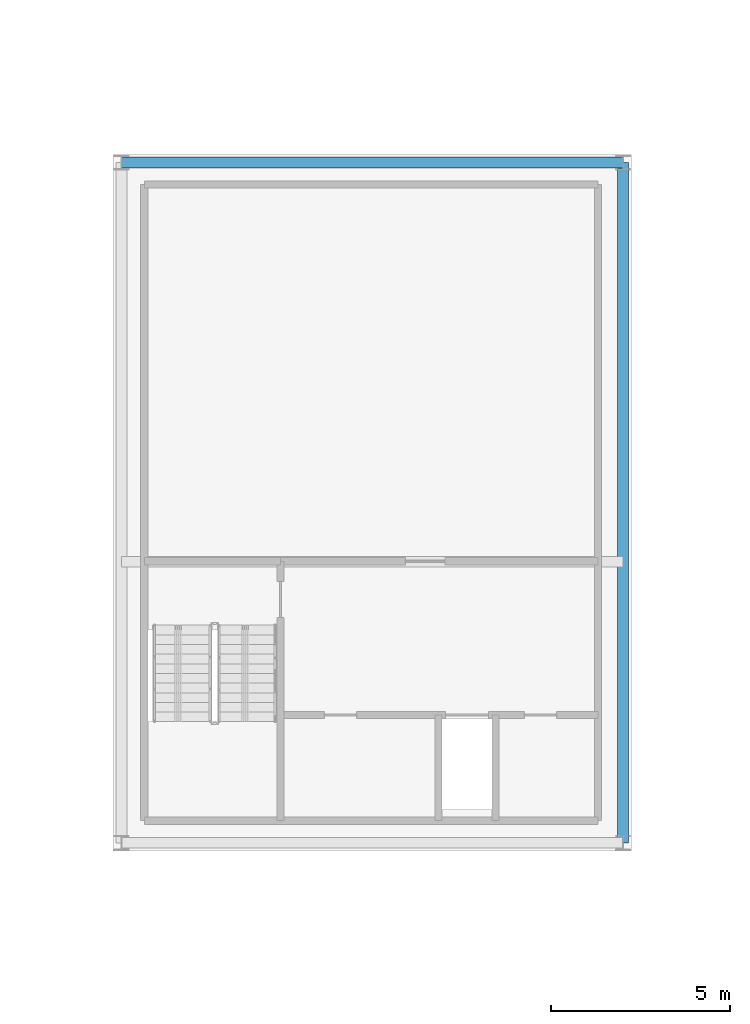
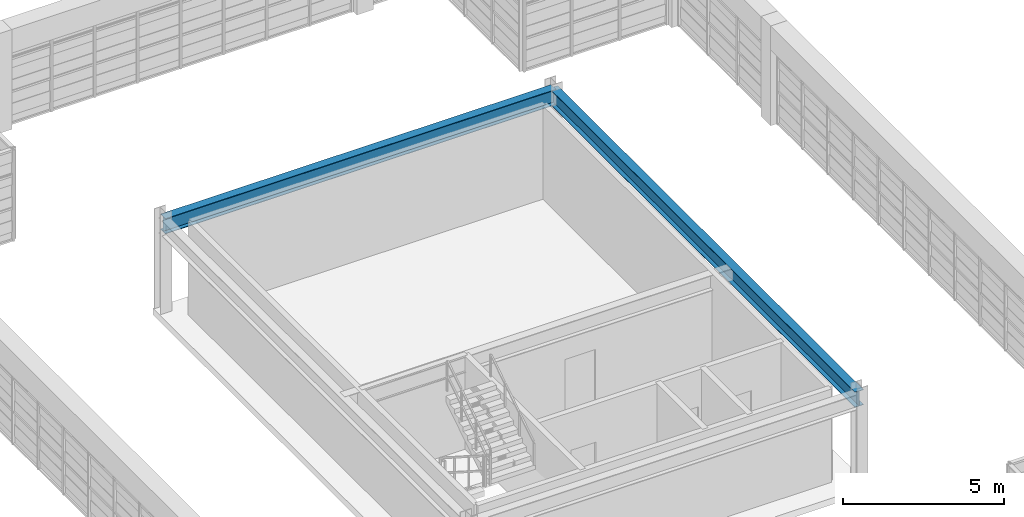
# One storey, part 13 of 27: 2 beams.
"""IFC4 building model written with IfcOpenShell, lengths in metres."""

from ifc_helpers import new_model, si_unit, direction, frame, origin, origin_2d, place, context, subcontext, project, spatial, i_section, extrude, source, transform, mapped, material, material_profile, profile_set, type_object, element, save


model = new_model("IFC4")

# Units and contexts
model_context = context("Model", 3, precision=1e-05, world=origin(), true_north=direction((0.0, 1.0)))
body_context = subcontext(model_context, "Body", "Model", "MODEL_VIEW")
ifc_project = project(units=[si_unit("LENGTHUNIT", "METRE"), si_unit("AREAUNIT", "SQUARE_METRE"), si_unit("VOLUMEUNIT", "CUBIC_METRE"), si_unit("PLANEANGLEUNIT", "RADIAN"), si_unit("MASSUNIT", "GRAM", prefix="KILO")], contexts=[model_context])

# Site, building, storey
site_placement = place(None, origin())
site = spatial("IfcSite", under=ifc_project, at=site_placement, CompositionType="ELEMENT")
building_placement = place(site_placement, origin())
building = spatial("IfcBuilding", under=site, at=building_placement, Name="Saelheon Loggia Tower", CompositionType="ELEMENT")
storey_placement = place(building_placement, frame((0.0, 0.0, 263.60009765625)))
storey = spatial("IfcBuildingStorey", under=building, at=storey_placement, Name="CR4", CompositionType="ELEMENT", Elevation=263.60009765625)

# Beams
ifc_material = material(Name="Steel SM355", Category="steel")
ifc_material_profile = material_profile(ifc_material, i_section(OverallWidth=0.300048828125, OverallDepth=0.587890625, WebThickness=0.011962890625, FlangeThickness=0.02001953125, at=origin_2d()), Name="H-588x300x12x20")
ifc_profile_set = profile_set([ifc_material_profile], Name="Steel SM355")
beam_type = type_object("IfcBeamType", Name="Beam_Girder_Steel_H588", PredefinedType="BEAM", material=ifc_profile_set)
shared_shape_1 = source(origin(), body_context, "Body", "SweptSolid", [
    extrude(i_section(OverallWidth=0.300048828125, OverallDepth=0.587890625, WebThickness=0.011962890625, FlangeThickness=0.02001953125, at=origin_2d()), origin(), (0.0, 0.0, 1.0), 14.0400390625),
])
beam_1_placement = place(storey_placement, frame((30.97998046875, 36.52001953125, 3.255859375), z_axis=(1.0, 0.0, 0.0), x_axis=(0.0, 1.0, 0.0)))
element("IfcBeam", 1, at=beam_1_placement, inside=storey, type_object=beam_type, Name="BM-CR4-PL-N", PredefinedType="BEAM", context=body_context, shape_type="MappedRepresentation", body=[
    mapped(shared_shape_1, transform((0.0, 0.0, 0.0), scale=1.0)),
])
shared_shape_2 = source(origin(), body_context, "Body", "SweptSolid", [
    extrude(i_section(OverallWidth=0.300048828125, OverallDepth=0.587890625, WebThickness=0.011962890625, FlangeThickness=0.02001953125, at=origin_2d()), origin(), (0.0, 0.0, 1.0), 19.0400390625),
])
beam_2_placement = place(storey_placement, frame((45.02001953125, 17.47998046875, 3.255859375), z_axis=(0.0, 1.0, 0.0), x_axis=(-1.0, 0.0, 0.0)))
element("IfcBeam", 2, at=beam_2_placement, inside=storey, type_object=beam_type, Name="BM-CR4-PL-E", PredefinedType="BEAM", context=body_context, shape_type="MappedRepresentation", body=[
    mapped(shared_shape_2, transform((0.0, 0.0, 0.0), scale=1.0)),
])

save(model, "model.ifc")
